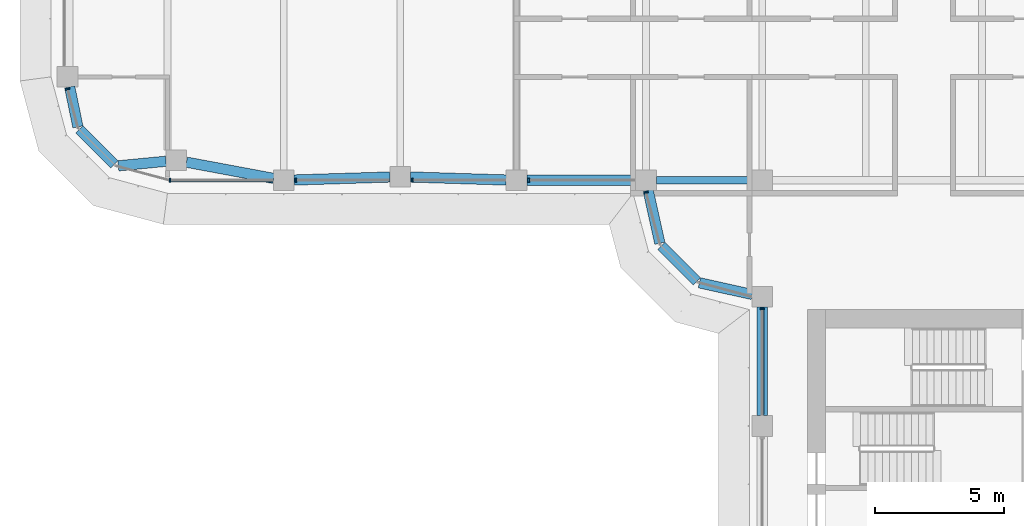
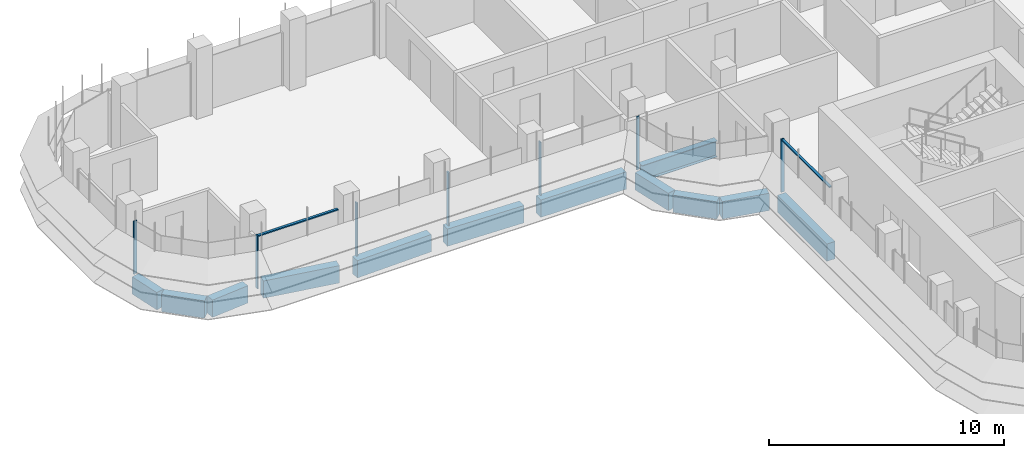
# One storey, part 3 of 20: 12 beams, 9 members, 4 elements without a shape of their own.
"""IFC4 building model written with IfcOpenShell, lengths in metres."""

import ifcopenshell
import ifcopenshell.guid

model = None  # the IFC model being written
_history = None  # IfcOwnerHistory: only IFC2X3 demands one
_inside = {}  # id of a spatial element -> (the spatial element, [elements in it])
_under = {}  # id of a project, library or spatial element -> (it, [spatial elements below it])
_declared = {}  # id of a project -> (the project, [libraries it declares])
_typed = {}  # id of a type object -> (the type object, [elements of that type])
_made_of = {}  # id of a material, layer set ... -> (it, [elements and type objects made of it])


def new_model(schema):
    """Start an empty IFC model of exactly this schema.

    Asked for "IFC4X3", IfcOpenShell would pick the latest addendum, in which some entities
    have other attributes; the version numbers below select the first issue.
    IFC2X3 requires an IfcOwnerHistory on every rooted entity: one is made here for all.
    """
    global model, _history
    if schema == "IFC4X3":
        model = ifcopenshell.file(schema_version=(4, 3, 0, 0))
    else:
        model = ifcopenshell.file(schema=schema)
    _inside.clear()
    _under.clear()
    _declared.clear()
    _typed.clear()
    _made_of.clear()
    _history = None
    if model.schema == "IFC2X3":
        org = make("IfcOrganization", Name="unknown")
        user = make(
            "IfcPersonAndOrganization",
            ThePerson=make("IfcPerson", FamilyName="unknown"),
            TheOrganization=org,
        )
        app = make(
            "IfcApplication",
            ApplicationDeveloper=org,
            Version="unknown",
            ApplicationFullName="unknown",
            ApplicationIdentifier="unknown",
        )
        _history = make(
            "IfcOwnerHistory",
            OwningUser=user,
            OwningApplication=app,
            ChangeAction="ADDED",
            CreationDate=0,
        )
    return model


def make(cls, **values):
    """One entity of the class cls with the attributes given. An attribute that is None is left unset."""
    return model.create_entity(
        cls, **{name: value for name, value in values.items() if value is not None}
    )


def rooted(cls, **values):
    """An entity with a GlobalId (a new one), such as an element, a storey or a relation."""
    return make(cls, GlobalId=ifcopenshell.guid.new(), OwnerHistory=_history, **values)


def si_unit(unit_type, name, prefix=None):
    """IfcSIUnit, for example si_unit("LENGTHUNIT", "METRE", prefix="MILLI")."""
    return make("IfcSIUnit", UnitType=unit_type, Prefix=prefix, Name=name)


def assignment(units):
    """IfcUnitAssignment: the units of a project."""
    return None if units is None else make("IfcUnitAssignment", Units=units)


def point(xyz):
    """IfcCartesianPoint."""
    return None if xyz is None else make("IfcCartesianPoint", Coordinates=xyz)


def direction(xyz):
    """IfcDirection."""
    return None if xyz is None else make("IfcDirection", DirectionRatios=xyz)


def frame(location, z_axis=None, x_axis=None):
    """IfcAxis2Placement3D, a coordinate frame: its origin and axes. An axis left out is left unset."""
    return make(
        "IfcAxis2Placement3D",
        Location=point(location),
        Axis=direction(z_axis),
        RefDirection=direction(x_axis),
    )


def frame_2d(location, x_axis=None):
    """IfcAxis2Placement2D, a coordinate frame in the plane: its origin and x axis."""
    return make(
        "IfcAxis2Placement2D", Location=point(location), RefDirection=direction(x_axis)
    )


def origin():
    """The frame at (0, 0, 0) with its axes left unset."""
    return frame((0.0, 0.0, 0.0))


def origin_2d():
    """The frame at (0, 0) in the plane with its x axis left unset."""
    return frame_2d((0.0, 0.0))


def place(relative_to, where):
    """IfcLocalPlacement: puts the frame where relative to a parent placement (None: the world)."""
    return make(
        "IfcLocalPlacement", PlacementRelTo=relative_to, RelativePlacement=where
    )


def context(
    kind, dimensions, precision=None, world=None, true_north=None, identifier=None
):
    """IfcGeometricRepresentationContext, for example the 3D "Model" context."""
    return make(
        "IfcGeometricRepresentationContext",
        ContextIdentifier=identifier,
        ContextType=kind,
        CoordinateSpaceDimension=dimensions,
        Precision=precision,
        WorldCoordinateSystem=world,
        TrueNorth=true_north,
    )


def subcontext(parent, identifier, kind, view, scale=None):
    """IfcGeometricRepresentationSubContext, for example "Body" below "Model"."""
    return make(
        "IfcGeometricRepresentationSubContext",
        ContextIdentifier=identifier,
        ContextType=kind,
        ParentContext=parent,
        TargetScale=scale,
        TargetView=view,
    )


def project(units=None, contexts=None):
    """IfcProject with its units and contexts."""
    return rooted(
        "IfcProject",
        Name="project",
        RepresentationContexts=contexts,
        UnitsInContext=assignment(units),
    )


def spatial(cls, under=None, at=None, **own):
    """A site, building, storey or space (cls), placed at a placement, below another one or the project."""
    s = rooted(cls, ObjectPlacement=at, **own)
    if under is not None:
        _under.setdefault(under.id(), (under, []))[1].append(s)
    return s


def polyline(points):
    """IfcPolyline through the points."""
    return make("IfcPolyline", Points=[point(p) for p in points])


def profile(cls, at=None, kind="AREA", **sizes):
    """A parametric profile (cls). Its sizes go by their IFC names, for example OverallWidth=200.0."""
    return make(cls, ProfileType=kind, Position=at, **sizes)


def rectangle(**sizes):
    """IfcRectangleProfileDef."""
    return profile("IfcRectangleProfileDef", **sizes)


def i_section(**sizes):
    """IfcIShapeProfileDef."""
    return profile("IfcIShapeProfileDef", **sizes)


def outline(outer, holes=None, kind="AREA"):
    """IfcArbitraryClosedProfileDef: a profile drawn as a closed curve; with holes, ...WithVoids."""
    if holes is None:
        return make("IfcArbitraryClosedProfileDef", ProfileType=kind, OuterCurve=outer)
    return make(
        "IfcArbitraryProfileDefWithVoids",
        ProfileType=kind,
        OuterCurve=outer,
        InnerCurves=holes,
    )


def extrude(swept, where, along, depth):
    """IfcExtrudedAreaSolid: the profile swept, set in the frame where, extruded along a direction by depth."""
    return make(
        "IfcExtrudedAreaSolid",
        SweptArea=swept,
        Position=where,
        ExtrudedDirection=direction(along),
        Depth=depth,
    )


def shape(context_of_items, identifier, shape_type, items):
    """IfcShapeRepresentation: the items that make up one representation, for example the "Body"."""
    return make(
        "IfcShapeRepresentation",
        ContextOfItems=context_of_items,
        RepresentationIdentifier=identifier,
        RepresentationType=shape_type,
        Items=items,
    )


def source(mapping_origin, context_of_items, identifier, shape_type, items):
    """IfcRepresentationMap: a shape defined once, which mapped items show again and again."""
    return make(
        "IfcRepresentationMap",
        MappingOrigin=mapping_origin,
        MappedRepresentation=shape(context_of_items, identifier, shape_type, items),
    )


def transform(
    local_origin,
    x_axis=None,
    y_axis=None,
    z_axis=None,
    scale=None,
    scale2=None,
    scale3=None,
    uniform=True,
):
    """IfcCartesianTransformationOperator3D, or its non-uniform kind. x_axis, y_axis, z_axis: its Axis1, 2, 3."""
    if uniform:
        return make(
            "IfcCartesianTransformationOperator3D",
            Axis1=direction(x_axis),
            Axis2=direction(y_axis),
            LocalOrigin=point(local_origin),
            Scale=scale,
            Axis3=direction(z_axis),
        )
    return make(
        "IfcCartesianTransformationOperator3DnonUniform",
        Axis1=direction(x_axis),
        Axis2=direction(y_axis),
        LocalOrigin=point(local_origin),
        Scale=scale,
        Axis3=direction(z_axis),
        Scale2=scale2,
        Scale3=scale3,
    )


def mapped(mapping_source, mapping_target):
    """IfcMappedItem: shows the shape of a source again, moved by a transform."""
    return make(
        "IfcMappedItem", MappingSource=mapping_source, MappingTarget=mapping_target
    )


def material(Name=None, Category=None):
    """IfcMaterial."""
    return make("IfcMaterial", Name=Name, Category=Category)


def material_profile(
    of_material, cross_section, Name=None, Category=None, Priority=None
):
    """IfcMaterialProfile: a cross section and its material."""
    return make(
        "IfcMaterialProfile",
        Name=Name,
        Material=of_material,
        Profile=cross_section,
        Priority=Priority,
        Category=Category,
    )


def profile_set(profiles, Name=None, composite=None):
    """IfcMaterialProfileSet."""
    return make(
        "IfcMaterialProfileSet",
        Name=Name,
        MaterialProfiles=profiles,
        CompositeProfile=composite,
    )


def made_of(thing, what):
    """Note that an element or type object is made of a material, layer set ...; save() writes the relation."""
    if what is not None:
        _made_of.setdefault(what.id(), (what, []))[1].append(thing)
    return thing


def type_object(cls, material=None, **own):
    """A type object (cls), such as IfcWallType, which elements share."""
    return made_of(rooted(cls, **own), material)


def element(
    cls,
    number,
    at=None,
    inside=None,
    cuts=None,
    type_object=None,
    material=None,
    context=None,
    identifier="Body",
    shape_type=None,
    held_by="IfcProductDefinitionShape",
    body=None,
    shapes=None,
    **own,
):
    """One element of the class cls, such as IfcWall. Its Tag is "e" and its number.

    at: its placement. inside: the storey or other place that contains it. cuts: it is an
    opening in that element (IfcRelVoidsElement). A single representation is given by context,
    identifier, shape_type and body (its items); several are given by shapes. held_by: the class
    of the entity that holds the representations. save() writes the other relations.
    """
    e = rooted(cls, Tag="e%d" % number, ObjectPlacement=at, **own)
    if body is not None:
        shapes = [shape(context, identifier, shape_type, body)]
    if shapes is not None:
        e.Representation = make(held_by, Representations=shapes)
    if inside is not None:
        _inside.setdefault(inside.id(), (inside, []))[1].append(e)
    if cuts is not None:
        rooted(
            "IfcRelVoidsElement", RelatingBuildingElement=cuts, RelatedOpeningElement=e
        )
    if type_object is not None:
        _typed.setdefault(type_object.id(), (type_object, []))[1].append(e)
    return made_of(e, material)


def aggregate(whole, parts):
    """IfcRelAggregates: a whole, such as a stair, and the parts it consists of."""
    return rooted("IfcRelAggregates", RelatingObject=whole, RelatedObjects=parts)


def save(model, path):
    """Write the relations noted so far, then the file.

    IfcRelAggregates (storeys below a building ...), IfcRelContainedInSpatialStructure (elements
    in a storey), IfcRelDefinesByType, IfcRelAssociatesMaterial and IfcRelDeclares: one each for
    every whole, place, type object, material and project.
    """
    for whole, parts in _under.values():
        aggregate(whole, parts)
    for where, things in _inside.values():
        rooted(
            "IfcRelContainedInSpatialStructure",
            RelatedElements=things,
            RelatingStructure=where,
        )
    for kind, things in _typed.values():
        rooted("IfcRelDefinesByType", RelatedObjects=things, RelatingType=kind)
    for what, things in _made_of.values():
        rooted("IfcRelAssociatesMaterial", RelatedObjects=things, RelatingMaterial=what)
    for by, libraries in _declared.values():
        rooted("IfcRelDeclares", RelatingContext=by, RelatedDefinitions=libraries)
    model.write(path)


model = new_model("IFC4")

# Units and contexts
model_context = context("Model", 3, precision=1e-05, world=origin(), true_north=direction((0.0, 1.0)))
body_context = subcontext(model_context, "Body", "Model", "MODEL_VIEW")
ifc_project = project(units=[si_unit("LENGTHUNIT", "METRE"), si_unit("AREAUNIT", "SQUARE_METRE"), si_unit("VOLUMEUNIT", "CUBIC_METRE"), si_unit("PLANEANGLEUNIT", "RADIAN"), si_unit("MASSUNIT", "GRAM", prefix="KILO")], contexts=[model_context])

# Site, building, storey
site_placement = place(None, origin())
site = spatial("IfcSite", under=ifc_project, at=site_placement, CompositionType="ELEMENT")
building_placement = place(site_placement, origin())
building = spatial("IfcBuilding", under=site, at=building_placement, Name="Zarbagh Exchange Tower", CompositionType="ELEMENT")
storey_placement = place(building_placement, frame((0.0, 0.0, 163.800048828125)))
storey = spatial("IfcBuildingStorey", under=building, at=storey_placement, Name="L39", CompositionType="ELEMENT", Elevation=163.800048828125)

# Beams
ifc_material_1 = material(Name="Steel ASTM A992 Gr 50", Category="steel")
ifc_material_profile_1 = material_profile(ifc_material_1, i_section(OverallWidth=0.2919921875, OverallDepth=0.835693359375, WebThickness=0.013916015625, FlangeThickness=0.018798828125, at=origin_2d()), Name="W33X118")
ifc_profile_set_1 = profile_set([ifc_material_profile_1], Name="Steel ASTM A992 Gr 50")
beam_type_1 = type_object("IfcBeamType", Name="Floor girder W33X118", PredefinedType="BEAM", material=ifc_profile_set_1)
beam_1_placement = place(storey_placement, frame((-10.35009765625, -6.25, -0.56787109375), z_axis=(1.0, 0.0, 0.0), x_axis=(0.0, 1.0, 0.0)))
element("IfcBeam", 1, at=beam_1_placement, inside=storey, type_object=beam_type_1, Name="Steel girder", PredefinedType="BEAM", context=body_context, shape_type="SweptSolid", body=[
    extrude(i_section(OverallWidth=0.2919921875, OverallDepth=0.835693359375, WebThickness=0.013916015625, FlangeThickness=0.018798828125, at=origin_2d()), origin(), (0.0, 0.0, 1.0), 3.7001953125),
])
ifc_material_2 = material(Name="Concrete C50/60", Category="concrete")
ifc_material_profile_2 = material_profile(ifc_material_2, rectangle(XDim=0.39990234375, YDim=0.89990234375, at=origin_2d()), Name="RC spandrel beam 400 x 900 C50/60")
ifc_profile_set_2 = profile_set([ifc_material_profile_2], Name="Concrete C50/60")
beam_type_2 = type_object("IfcBeamType", Name="RC spandrel beam 400 x 900 C50/60", PredefinedType="SPANDREL", material=ifc_profile_set_2)
beam_2_placement = place(storey_placement, frame((-6.25, -15.35009765625, -0.60009765625), z_axis=(0.0, 1.0, 0.0), x_axis=(-1.0, 0.0, 0.0)))
element("IfcBeam", 2, at=beam_2_placement, inside=storey, type_object=beam_type_2, Name="RC spandrel beam", PredefinedType="SPANDREL", context=body_context, shape_type="SweptSolid", body=[
    extrude(rectangle(XDim=0.39990234375, YDim=0.89990234375, at=origin_2d()), origin(), (0.0, 0.0, 1.0), 4.2001953125),
])
beam_3_placement = place(storey_placement, frame((-6.640625, -10.66357421875, -0.60009765625), z_axis=(-0.976384278741, 0.216041061437, 0.0), x_axis=(-0.216041061437, -0.976384278741, 0.0)))
element("IfcBeam", 3, at=beam_3_placement, inside=storey, type_object=beam_type_2, Name="RC spandrel beam", PredefinedType="SPANDREL", context=body_context, shape_type="SweptSolid", body=[
    extrude(rectangle(XDim=0.39990234375, YDim=0.89990234375, at=origin_2d()), origin(), (0.0, 0.0, 1.0), 2.0927734375),
])
beam_4_placement = place(storey_placement, frame((-8.782470703125, -10.15771484375, -0.60009765625), z_axis=(-0.707106781187, 0.707106781187, 0.0), x_axis=(-0.707106781187, -0.707106781187, 0.0)))
element("IfcBeam", 4, at=beam_4_placement, inside=storey, type_object=beam_type_2, Name="RC spandrel beam", PredefinedType="SPANDREL", context=body_context, shape_type="SweptSolid", body=[
    extrude(rectangle(XDim=0.39990234375, YDim=0.89990234375, at=origin_2d()), origin(), (0.0, 0.0, 1.0), 1.94482421875),
])
beam_5_placement = place(storey_placement, frame((-10.21142578125, -8.68408203125, -0.60009765625), z_axis=(-0.216041061437, 0.976384278741, 0.0), x_axis=(-0.976384278741, -0.216041061437, 0.0)))
element("IfcBeam", 5, at=beam_5_placement, inside=storey, type_object=beam_type_2, Name="RC spandrel beam", PredefinedType="SPANDREL", context=body_context, shape_type="SweptSolid", body=[
    extrude(rectangle(XDim=0.39990234375, YDim=0.89990234375, at=origin_2d()), origin(), (0.0, 0.0, 1.0), 2.0927734375),
])
beam_6_placement = place(storey_placement, frame((-11.14990234375, -6.25, -0.60009765625), z_axis=(-1.0, 0.0, 0.0), x_axis=(0.0, -1.0, 0.0)))
element("IfcBeam", 6, at=beam_6_placement, inside=storey, type_object=beam_type_2, Name="RC spandrel beam", PredefinedType="SPANDREL", context=body_context, shape_type="SweptSolid", body=[
    extrude(rectangle(XDim=0.39990234375, YDim=0.89990234375, at=origin_2d()), origin(), (0.0, 0.0, 1.0), 4.2001953125),
])
for number, where, z_axis, x_axis, name in (
    (7, (-16.14990234375, -6.237548828125, -0.60009765625), (-0.999515416033, 0.031127690444, 0.0), (-0.031127690444, -0.999515416033, 0.0), "RC spandrel beam"),
    (8, (-20.64990234375, -6.122314453125, -0.60009765625), (-0.999515416033, -0.031127690444, 0.0), (0.031127690444, -0.999515416033, 0.0), "RC spandrel beam"),
):
    element("IfcBeam", number, at=place(storey_placement, frame(where, z_axis=z_axis, x_axis=x_axis)), inside=storey, type_object=beam_type_2, Name=name, PredefinedType="SPANDREL", context=body_context, shape_type="SweptSolid", body=[
        extrude(rectangle(XDim=0.39990234375, YDim=0.89990234375, at=origin_2d()), origin(), (0.0, 0.0, 1.0), 3.701904296875),
    ])
beam_7_placement = place(storey_placement, frame((-25.143310546875, -6.1767578125, -0.60009765625), z_axis=(-0.983069862768, 0.183231124313, 0.0), x_axis=(-0.183231124313, -0.983069862768, 0.0)))
element("IfcBeam", 9, at=beam_7_placement, inside=storey, type_object=beam_type_2, Name="RC spandrel beam", PredefinedType="SPANDREL", context=body_context, shape_type="SweptSolid", body=[
    extrude(rectangle(XDim=0.39990234375, YDim=0.89990234375, at=origin_2d()), origin(), (0.0, 0.0, 1.0), 3.4296875),
])
beam_8_placement = place(storey_placement, frame((-29.30615234375, -5.51318359375, -0.60009765625), z_axis=(-0.995435353267, -0.095438239015, 0.0), x_axis=(0.095438239015, -0.995435353267, 0.0)))
element("IfcBeam", 10, at=beam_8_placement, inside=storey, type_object=beam_type_2, Name="RC spandrel beam", PredefinedType="SPANDREL", context=body_context, shape_type="SweptSolid", body=[
    extrude(rectangle(XDim=0.39990234375, YDim=0.89990234375, at=origin_2d()), origin(), (0.0, 0.0, 1.0), 1.849609375),
])
beam_9_placement = place(storey_placement, frame((-31.307861328125, -5.632080078125, -0.60009765625), z_axis=(-0.707106781187, 0.707106781187, 0.0), x_axis=(-0.707106781187, -0.707106781187, 0.0)))
element("IfcBeam", 11, at=beam_9_placement, inside=storey, type_object=beam_type_2, Name="RC spandrel beam", PredefinedType="SPANDREL", context=body_context, shape_type="SweptSolid", body=[
    extrude(rectangle(XDim=0.39990234375, YDim=0.89990234375, at=origin_2d()), origin(), (0.0, 0.0, 1.0), 1.9072265625),
])
beam_10_placement = place(storey_placement, frame((-32.7109375, -4.1826171875, -0.60009765625), z_axis=(-0.20216948151, 0.979350550491, 0.0), x_axis=(-0.979350550491, -0.20216948151, 0.0)))
element("IfcBeam", 12, at=beam_10_placement, inside=storey, type_object=beam_type_2, Name="RC spandrel beam", PredefinedType="SPANDREL", context=body_context, shape_type="SweptSolid", body=[
    extrude(rectangle(XDim=0.39990234375, YDim=0.89990234375, at=origin_2d()), origin(), (0.0, 0.0, 1.0), 1.573486328125),
])

# Curtain wall, member
ifc_material_3 = material(Name="Anodised aluminium frame and glazing", Category="aluminium")
curtain_wall_type = type_object("IfcCurtainWallType", Name="CWB Ribbon glazing, upper zones", PredefinedType="NOTDEFINED", material=ifc_material_3)
curtain_wall_1_placement = place(storey_placement, origin())
curtain_wall_1 = element("IfcCurtainWall", 13, at=curtain_wall_1_placement, inside=storey, type_object=curtain_wall_type, Name="CWB37 curtain wall", PredefinedType="NOTDEFINED")
ifc_material_4 = material(Name="Anodised aluminium frame", Category="aluminium")
member_type_1 = type_object("IfcMemberType", Name="MUB Mullion, anodised aluminium frame", PredefinedType="MULLION", material=ifc_material_4)
shared_shape_1 = source(origin(), body_context, "Body", "SweptSolid", [
    extrude(outline(polyline([(0.0, -0.080078125), (0.06005859375, -0.080078125), (0.06005859375, 0.080078125), (0.0, 0.080078125), (0.0, -0.080078125)])), origin(), (0.0, 0.0, 1.0), 2.75),
])
placement = place(storey_placement, origin())
member_1 = element("IfcMember", 14, at=placement, type_object=member_type_1, Name="CWB37 mullion 1.1", PredefinedType="MULLION", context=body_context, shape_type="MappedRepresentation", body=[
    mapped(shared_shape_1, transform((-33.114501953125, -2.68994140625, 0.0), x_axis=(0.258824779902, -0.965924289636, 0.0), y_axis=(0.965924289636, 0.258824779902, 0.0), z_axis=(0.0, 0.0, 1.0))),
])
aggregate(curtain_wall_1, [member_1])

# Curtain wall, members
curtain_wall_2_placement = place(storey_placement, origin())
curtain_wall_2 = element("IfcCurtainWall", 15, at=curtain_wall_2_placement, inside=storey, type_object=curtain_wall_type, Name="CWB40 curtain wall", PredefinedType="NOTDEFINED")
member_2 = element("IfcMember", 16, at=placement, type_object=member_type_1, Name="CWB40 mullion 1.1", PredefinedType="MULLION", context=body_context, shape_type="MappedRepresentation", body=[
    mapped(shared_shape_1, transform((-29.18408203125, -6.25, 0.0), x_axis=(1.0, 0.0, 0.0), y_axis=(0.0, 1.0, 0.0), z_axis=(0.0, 0.0, 1.0))),
])
member_3 = element("IfcMember", 17, at=placement, type_object=member_type_1, Name="CWB40 mullion 2.1", PredefinedType="MULLION", context=body_context, shape_type="MappedRepresentation", body=[
    mapped(shared_shape_1, transform((-24.31005859375, -6.25, 0.0), x_axis=(1.0, 0.0, 0.0), y_axis=(0.0, 1.0, 0.0), z_axis=(0.0, 0.0, 1.0))),
])
member_4 = element("IfcMember", 18, at=placement, type_object=member_type_1, Name="CWB40 mullion 3.1", PredefinedType="MULLION", context=body_context, shape_type="MappedRepresentation", body=[
    mapped(shared_shape_1, transform((-19.81005859375, -6.25, 0.0), x_axis=(1.0, 0.0, 0.0), y_axis=(0.0, 1.0, 0.0), z_axis=(0.0, 0.0, 1.0))),
])
member_5 = element("IfcMember", 19, at=placement, type_object=member_type_1, Name="CWB40 mullion 4.1", PredefinedType="MULLION", context=body_context, shape_type="MappedRepresentation", body=[
    mapped(shared_shape_1, transform((-15.31005859375, -6.25, 0.0), x_axis=(1.0, 0.0, 0.0), y_axis=(0.0, 1.0, 0.0), z_axis=(0.0, 0.0, 1.0))),
])

# Curtain wall, member
curtain_wall_3_placement = place(storey_placement, origin())
curtain_wall_3 = element("IfcCurtainWall", 20, at=curtain_wall_3_placement, inside=storey, type_object=curtain_wall_type, Name="CWB41 curtain wall", PredefinedType="NOTDEFINED")
member_6 = element("IfcMember", 21, at=placement, type_object=member_type_1, Name="CWB41 mullion 1.1", PredefinedType="MULLION", context=body_context, shape_type="MappedRepresentation", body=[
    mapped(shared_shape_1, transform((-10.74853515625, -6.68994140625, 0.0), x_axis=(0.258824779902, -0.965924289636, 0.0), y_axis=(0.965924289636, 0.258824779902, 0.0), z_axis=(0.0, 0.0, 1.0))),
])
aggregate(curtain_wall_3, [member_6])

# Curtain wall, members
curtain_wall_4_placement = place(storey_placement, origin())
curtain_wall_4 = element("IfcCurtainWall", 22, at=curtain_wall_4_placement, inside=storey, type_object=curtain_wall_type, Name="CWB53 curtain wall", PredefinedType="NOTDEFINED")
member_7 = element("IfcMember", 23, at=placement, type_object=member_type_1, Name="CWB53 mullion 1.1", PredefinedType="MULLION", context=body_context, shape_type="MappedRepresentation", body=[
    mapped(shared_shape_1, transform((-6.25, -11.18994140625, 0.0), x_axis=(0.0, -1.0, 0.0), y_axis=(1.0, 0.0, 0.0), z_axis=(0.0, 0.0, 1.0))),
])
member_type_2 = type_object("IfcMemberType", Name="TRB Transom, anodised aluminium frame", PredefinedType="USERDEFINED", material=ifc_material_4)
shared_shape_2 = source(origin(), body_context, "Body", "SweptSolid", [
    extrude(outline(polyline([(-0.06005859375, -0.06005859375), (0.0, -0.06005859375), (0.0, 0.06005859375), (-0.06005859375, 0.06005859375), (-0.06005859375, -0.06005859375)])), origin(), (0.0, 0.0, 1.0), 4.06005859375),
])
member_8 = element("IfcMember", 24, at=placement, type_object=member_type_2, Name="CWB53 transom 1.1", ObjectType="TRANSOM", PredefinedType="USERDEFINED", context=body_context, shape_type="MappedRepresentation", body=[
    mapped(shared_shape_2, transform((-6.25, -11.25, 2.75), x_axis=(0.0, 0.0, 1.0), y_axis=(-1.0, 0.0, 0.0), z_axis=(0.0, -1.0, 0.0))),
])
aggregate(curtain_wall_4, [member_7, member_8])

# Member
shared_shape_3 = source(origin(), body_context, "Body", "SweptSolid", [
    extrude(outline(polyline([(-0.06005859375, -0.06005859375), (0.0, -0.06005859375), (0.0, 0.06005859375), (-0.06005859375, 0.06005859375), (-0.06005859375, -0.06005859375)])), origin(), (0.0, 0.0, 1.0), 3.93408203125),
])
member_9 = element("IfcMember", 25, at=placement, type_object=member_type_2, Name="CWB40 transom 1.1", ObjectType="TRANSOM", PredefinedType="USERDEFINED", context=body_context, shape_type="MappedRepresentation", body=[
    mapped(shared_shape_3, transform((-29.124267578125, -6.25, 2.75), x_axis=(0.0, 0.0, 1.0), y_axis=(0.0, -1.0, 0.0), z_axis=(1.0, 0.0, 0.0))),
])

aggregate(curtain_wall_2, [member_2, member_9, member_3, member_4, member_5])

save(model, "model.ifc")
